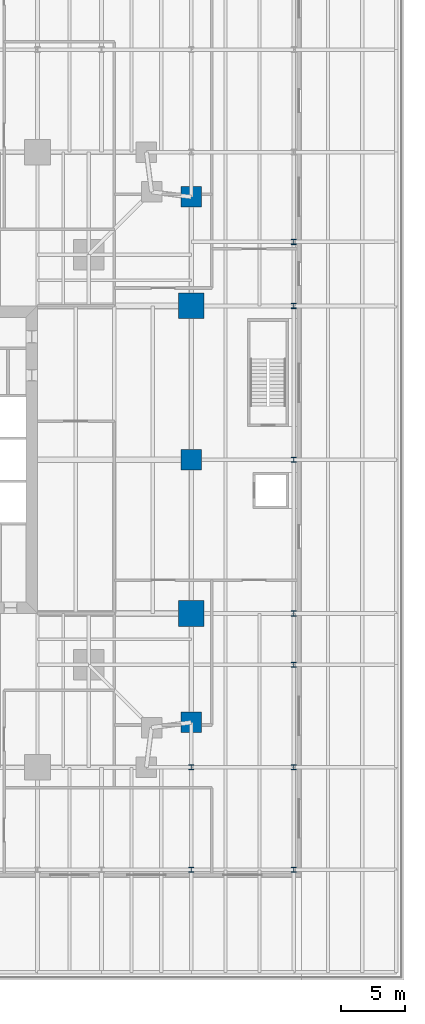
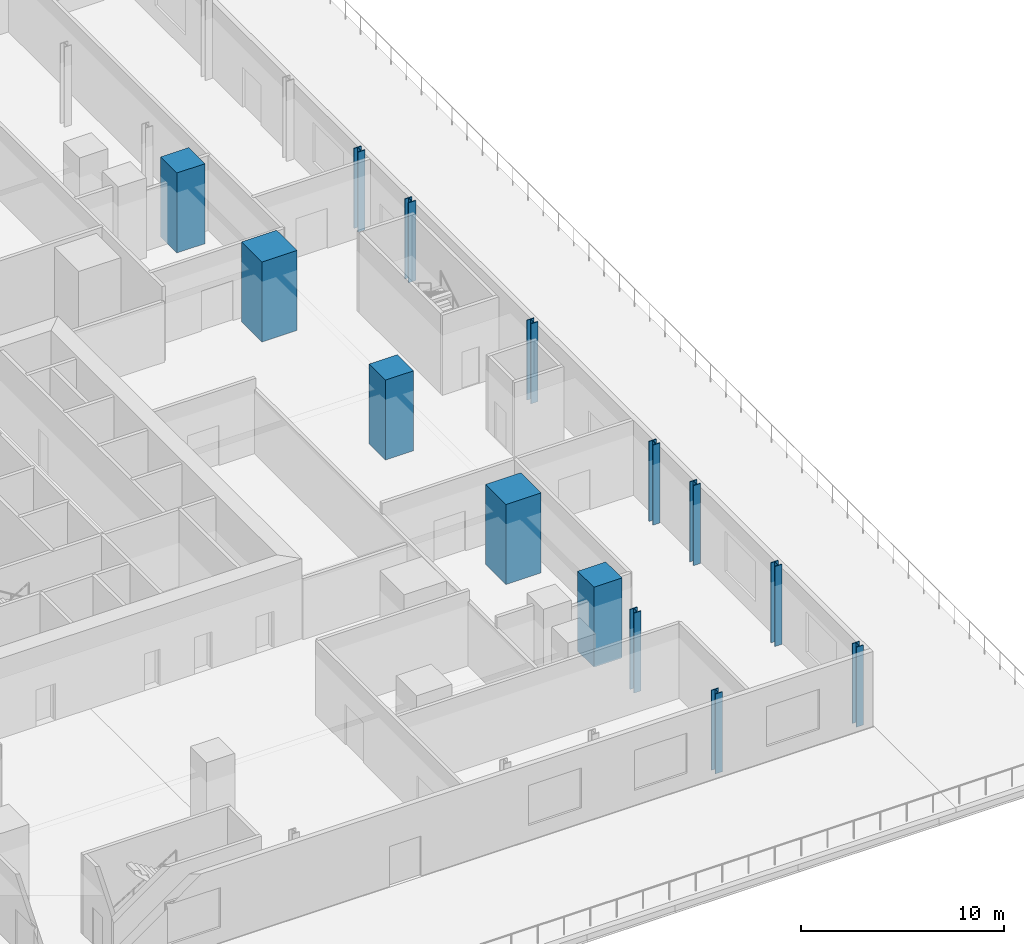
# One storey, part 3 of 18: 14 columns.
"""IFC4 building model written with IfcOpenShell, lengths in metres."""

from ifc_helpers import new_model, si_unit, direction, frame, origin, origin_2d, place, context, subcontext, project, spatial, rectangle, i_section, extrude, material, material_profile, profile_set, type_object, element, save


model = new_model("IFC4")

# Units and contexts
model_context = context("Model", 3, precision=1e-05, world=origin(), true_north=direction((0.0, 1.0)))
body_context = subcontext(model_context, "Body", "Model", "MODEL_VIEW")
ifc_project = project(units=[si_unit("LENGTHUNIT", "METRE"), si_unit("AREAUNIT", "SQUARE_METRE"), si_unit("VOLUMEUNIT", "CUBIC_METRE"), si_unit("PLANEANGLEUNIT", "RADIAN"), si_unit("MASSUNIT", "GRAM", prefix="KILO")], contexts=[model_context])

# Site, building, storey
site_placement = place(None, origin())
site = spatial("IfcSite", under=ifc_project, at=site_placement, CompositionType="ELEMENT")
building_placement = place(site_placement, origin())
building = spatial("IfcBuilding", under=site, at=building_placement, Name="Fenwick Lantern Interchange", CompositionType="ELEMENT")
storey_placement = place(building_placement, frame((0.0, 0.0, 11.800048828125)))
storey = spatial("IfcBuildingStorey", under=building, at=storey_placement, Name="L02", CompositionType="ELEMENT", Elevation=11.800048828125)

# Columns
ifc_material_1 = material(Name="Concrete f'c 70 MPa", Category="concrete")
ifc_material_profile_1 = material_profile(ifc_material_1, rectangle(XDim=1.60009765625, YDim=1.60009765625, at=origin_2d()), Name="RC1600X1600")
ifc_profile_set_1 = profile_set([ifc_material_profile_1], Name="Concrete f'c 70 MPa")
column_type_1 = type_object("IfcColumnType", Name="PERIMETER COLUMN RC1600X1600", PredefinedType="COLUMN", material=ifc_profile_set_1)
for number, where, z_axis, x_axis, name in (
    (1, (49.0, 4.5, 0.0), (0.0, 0.0, 1.0), (1.0, 0.0, 0.0), "L02/CE1"),
    (2, (49.0, 25.0, 0.0), (0.0, 0.0, 1.0), (1.0, 0.0, 0.0), "L02/CE3"),
    (3, (49.0, 45.5, 0.0), (0.0, 0.0, 1.0), (1.0, 0.0, 0.0), "L02/CE5"),
):
    element("IfcColumn", number, at=place(storey_placement, frame(where, z_axis=z_axis, x_axis=x_axis)), inside=storey, type_object=column_type_1, Name=name, PredefinedType="COLUMN", context=body_context, shape_type="SweptSolid", body=[
        extrude(rectangle(XDim=1.60009765625, YDim=1.60009765625, at=origin_2d()), origin(), (0.0, 0.0, 1.0), 4.800048828125),
    ])
ifc_material_profile_2 = material_profile(ifc_material_1, rectangle(XDim=2.0, YDim=2.0, at=origin_2d()), Name="RC2000X2000")
ifc_profile_set_2 = profile_set([ifc_material_profile_2], Name="Concrete f'c 70 MPa")
column_type_2 = type_object("IfcColumnType", Name="PERIMETER COLUMN RC2000X2000", PredefinedType="COLUMN", material=ifc_profile_set_2)
for number, where, z_axis, x_axis, name in (
    (4, (49.0, 13.0, 0.0), (0.0, 0.0, 1.0), (1.0, 0.0, 0.0), "L02/CE2"),
    (5, (49.0, 37.0, 0.0), (0.0, 0.0, 1.0), (1.0, 0.0, 0.0), "L02/CE4"),
):
    element("IfcColumn", number, at=place(storey_placement, frame(where, z_axis=z_axis, x_axis=x_axis)), inside=storey, type_object=column_type_2, Name=name, PredefinedType="COLUMN", context=body_context, shape_type="SweptSolid", body=[
        extrude(rectangle(XDim=2.0, YDim=2.0, at=origin_2d()), origin(), (0.0, 0.0, 1.0), 4.800048828125),
    ])
ifc_material_2 = material(Name="Steel ASTM A992 Grade 50", Category="steel")
ifc_material_profile_3 = material_profile(ifc_material_2, i_section(OverallWidth=0.406494140625, OverallDepth=0.41650390625, WebThickness=0.030029296875, FlangeThickness=0.048095703125, at=origin_2d()), Name="W14X257")
ifc_profile_set_3 = profile_set([ifc_material_profile_3], Name="Steel ASTM A992 Grade 50")
column_type_3 = type_object("IfcColumnType", Name="PODIUM COLUMN W14X257", PredefinedType="COLUMN", material=ifc_profile_set_3)
for number, where, z_axis, x_axis, name in (
    (6, (49.0, -7.0, 0.0), (0.0, 0.0, 1.0), (1.0, 0.0, 0.0), "L02/PB9"),
    (7, (49.0, 1.0, 0.0), (0.0, 0.0, 1.0), (1.0, 0.0, 0.0), "L02/PC9"),
    (8, (57.0, -7.0, 0.0), (0.0, 0.0, 1.0), (1.0, 0.0, 0.0), "L02/PB10"),
    (9, (57.0, 1.0, 0.0), (0.0, 0.0, 1.0), (1.0, 0.0, 0.0), "L02/PC10"),
    (10, (57.0, 9.0, 0.0), (0.0, 0.0, 1.0), (1.0, 0.0, 0.0), "L02/PD10"),
    (11, (57.0, 13.0, 0.0), (0.0, 0.0, 1.0), (1.0, 0.0, 0.0), "L02/PE10"),
    (12, (57.0, 25.0, 0.0), (0.0, 0.0, 1.0), (1.0, 0.0, 0.0), "L02/PF10"),
    (13, (57.0, 37.0, 0.0), (0.0, 0.0, 1.0), (1.0, 0.0, 0.0), "L02/PG10"),
    (14, (57.0, 42.0, 0.0), (0.0, 0.0, 1.0), (1.0, 0.0, 0.0), "L02/PH10"),
):
    element("IfcColumn", number, at=place(storey_placement, frame(where, z_axis=z_axis, x_axis=x_axis)), inside=storey, type_object=column_type_3, Name=name, PredefinedType="COLUMN", context=body_context, shape_type="SweptSolid", body=[
        extrude(i_section(OverallWidth=0.406494140625, OverallDepth=0.41650390625, WebThickness=0.030029296875, FlangeThickness=0.048095703125, at=origin_2d()), origin(), (0.0, 0.0, 1.0), 4.800048828125),
    ])

save(model, "model.ifc")
